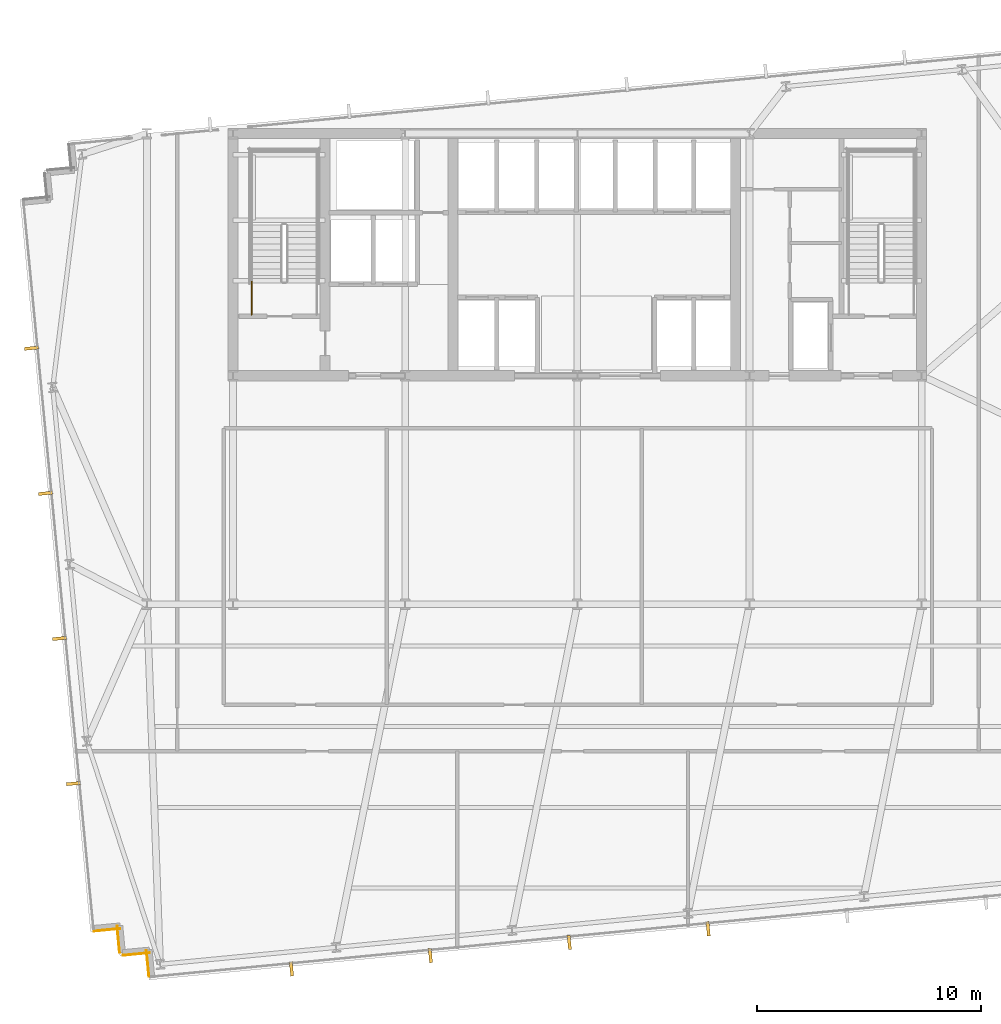
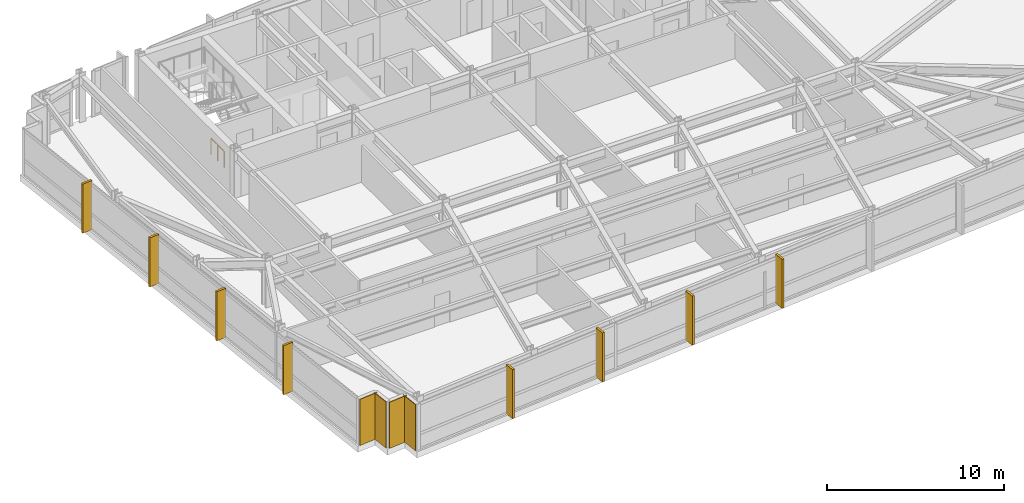
# One storey, part 28 of 33: 8 shading devices, 4 coverings, 1 railing.
"""IFC4 building model written with IfcOpenShell, lengths in metres."""

from ifc_helpers import new_model, si_unit, direction, frame, frame_2d, origin, origin_2d, place, context, subcontext, project, spatial, rectangle, circle, extrude, material, layer, layer_set, type_object, element, save


model = new_model("IFC4")

# Units and contexts
model_context = context("Model", 3, precision=1e-05, world=origin(), true_north=direction((0.0, 1.0)))
body_context = subcontext(model_context, "Body", "Model", "MODEL_VIEW")
ifc_project = project(units=[si_unit("LENGTHUNIT", "METRE"), si_unit("AREAUNIT", "SQUARE_METRE"), si_unit("VOLUMEUNIT", "CUBIC_METRE"), si_unit("PLANEANGLEUNIT", "RADIAN"), si_unit("MASSUNIT", "GRAM", prefix="KILO")], contexts=[model_context])

# Site, building, storey
site_placement = place(None, origin())
site = spatial("IfcSite", under=ifc_project, at=site_placement, CompositionType="ELEMENT")
building_placement = place(site_placement, origin())
building = spatial("IfcBuilding", under=site, at=building_placement, Name="Yelkora Congress Tower", CompositionType="ELEMENT")
storey_placement = place(building_placement, frame((0.0, 0.0, 89.699951171875)))
storey = spatial("IfcBuildingStorey", under=building, at=storey_placement, Name="L23", CompositionType="ELEMENT", Elevation=89.699951171875)

# Coverings
ifc_material_1 = material(Name="Anatolian bush-hammered limestone", Category="masonry")
ifc_layer_1 = layer(ifc_material_1, 0.0400390625)
ifc_layer_set_1 = layer_set([ifc_layer_1], Name="Anatolian bush-hammered limestone")
covering_type = type_object("IfcCoveringType", Name="COV-CLAD-SPANDREL-40", PredefinedType="CLADDING", material=ifc_layer_set_1)
covering_1_placement = place(storey_placement, frame((19.29248046875, 8.58447265625, 0.0), z_axis=(0.0, 0.0, 1.0), x_axis=(-0.095836473879, 0.995397091755, 0.0)))
element("IfcCovering", 1, at=covering_1_placement, inside=storey, type_object=covering_type, Name="L23 Anatolian Limestone Cladding EW-L23-SR01", PredefinedType="CLADDING", context=body_context, shape_type="SweptSolid", body=[
    extrude(rectangle(XDim=1.199951171875, YDim=0.0400390625, at=frame_2d((0.60009765625, 0.0))), origin(), (0.0, 0.0, 1.0), 3.179931640625),
])
for number, where, z_axis, x_axis, name in (
    (2, (19.32470703125, 9.657470703125, 0.0), (0.0, 0.0, 1.0), (-0.995398960025, -0.095817067274, 0.0), "L23 Anatolian Limestone Cladding EW-L23-SR02"),
    (3, (17.98291015625, 9.663818359375, 0.0), (0.0, 0.0, 1.0), (-0.095817067274, 0.995398960025, 0.0), "L23 Anatolian Limestone Cladding EW-L23-SR03"),
):
    element("IfcCovering", number, at=place(storey_placement, frame(where, z_axis=z_axis, x_axis=x_axis)), inside=storey, type_object=covering_type, Name=name, PredefinedType="CLADDING", context=body_context, shape_type="SweptSolid", body=[
        extrude(rectangle(XDim=1.2001953125, YDim=0.0400390625, at=frame_2d((0.60009765625, 0.0))), origin(), (0.0, 0.0, 1.0), 3.179931640625),
    ])
covering_2_placement = place(storey_placement, frame((18.01513671875, 10.737060546875, 0.0), z_axis=(0.0, 0.0, 1.0), x_axis=(-0.995397091755, -0.095836473879, 0.0)))
element("IfcCovering", 4, at=covering_2_placement, inside=storey, type_object=covering_type, Name="L23 Anatolian Limestone Cladding EW-L23-SR04", PredefinedType="CLADDING", context=body_context, shape_type="SweptSolid", body=[
    extrude(rectangle(XDim=1.199951171875, YDim=0.0400390625, at=frame_2d((0.60009765625, 0.0))), origin(), (0.0, 0.0, 1.0), 3.179931640625),
])

# Railing
ifc_material_2 = material(Name="Painted galvanised steel stair well guard with vertical infill", Category="steel")
ifc_layer_2 = layer(ifc_material_2, 0.06005859375)
ifc_layer_set_2 = layer_set([ifc_layer_2], Name="Painted galvanised steel stair well guard with vertical infill")
railing_type = type_object("IfcRailingType", Name="RAIL-STAIR-GUARD-1120", PredefinedType="GUARDRAIL", material=ifc_layer_set_2)
railing_placement = place(storey_placement, frame((23.8701171875, 38.1201171875, 0.0)))
element("IfcRailing", 5, at=railing_placement, inside=storey, type_object=railing_type, Name="ST-01 L23 Stair Well Guardrail 9", PredefinedType="GUARDRAIL", context=body_context, shape_type="SweptSolid", body=[
    extrude(circle(Radius=0.02392578125, at=origin_2d()), frame((0.0, 0.0, 1.09619140625), z_axis=(0.0, 1.0, 0.0), x_axis=(-1.0, 0.0, 0.0)), (0.0, 0.0, 1.0), 1.47998046875),
    extrude(circle(Radius=0.02099609375, at=origin_2d()), origin(), (0.0, 0.0, 1.0), 1.072021484375),
    extrude(circle(Radius=0.02099609375, at=origin_2d()), frame((0.0, 0.739990234375, 0.0)), (0.0, 0.0, 1.0), 1.072021484375),
    extrude(circle(Radius=0.02099609375, at=origin_2d()), frame((0.0, 1.47998046875, 0.0)), (0.0, 0.0, 1.0), 1.072021484375),
])

# Shading devices
ifc_material_3 = material(Name="Champagne anodised aluminium", Category="aluminium")
ifc_layer_3 = layer(ifc_material_3, 3.39990234375)
ifc_layer_set_3 = layer_set([ifc_layer_3], Name="Champagne anodised aluminium")
shading_device_type = type_object("IfcShadingDeviceType", Name="SHD-FIN-ALU-640", PredefinedType="USERDEFINED", material=ifc_layer_set_3)
for number, where, z_axis, x_axis, name in (
    (6, (15.925537109375, 17.20556640625, -0.02978515625), (0.0, 0.0, 1.0), (-0.09584575252, 0.995396198367, 0.0), "L23 Vertical Anodised Solar Fin 5-1"),
    (7, (15.30224609375, 23.6796875, -0.02978515625), (0.0, 0.0, 1.0), (-0.09584575252, 0.995396198367, 0.0), "L23 Vertical Anodised Solar Fin 5-2"),
    (8, (14.6787109375, 30.153564453125, -0.02978515625), (0.0, 0.0, 1.0), (-0.09584575252, 0.995396198367, 0.0), "L23 Vertical Anodised Solar Fin 5-3"),
    (9, (14.055419921875, 36.627685546875, -0.02978515625), (0.0, 0.0, 1.0), (-0.09584575252, 0.995396198367, 0.0), "L23 Vertical Anodised Solar Fin 5-4"),
    (10, (44.23486328125, 10.72509765625, -0.02978515625), (0.0, 0.0, 1.0), (-0.995396198367, -0.09584575252, 0.0), "L23 Vertical Anodised Solar Fin 20-5"),
    (11, (38.0390625, 10.12841796875, -0.02978515625), (0.0, 0.0, 1.0), (-0.995396198367, -0.09584575252, 0.0), "L23 Vertical Anodised Solar Fin 20-6"),
    (12, (31.84326171875, 9.53173828125, -0.02978515625), (0.0, 0.0, 1.0), (-0.995396198367, -0.09584575252, 0.0), "L23 Vertical Anodised Solar Fin 20-7"),
    (13, (25.6474609375, 8.935302734375, -0.02978515625), (0.0, 0.0, 1.0), (-0.995396198367, -0.09584575252, 0.0), "L23 Vertical Anodised Solar Fin 20-8"),
):
    element("IfcShadingDevice", number, at=place(storey_placement, frame(where, z_axis=z_axis, x_axis=x_axis)), inside=storey, type_object=shading_device_type, Name=name, ObjectType="FIN", PredefinedType="USERDEFINED", context=body_context, shape_type="SweptSolid", body=[
        extrude(rectangle(XDim=0.139892578125, YDim=0.639892578125, at=origin_2d()), origin(), (0.0, 0.0, 1.0), 3.3798828125),
    ])

save(model, "model.ifc")
